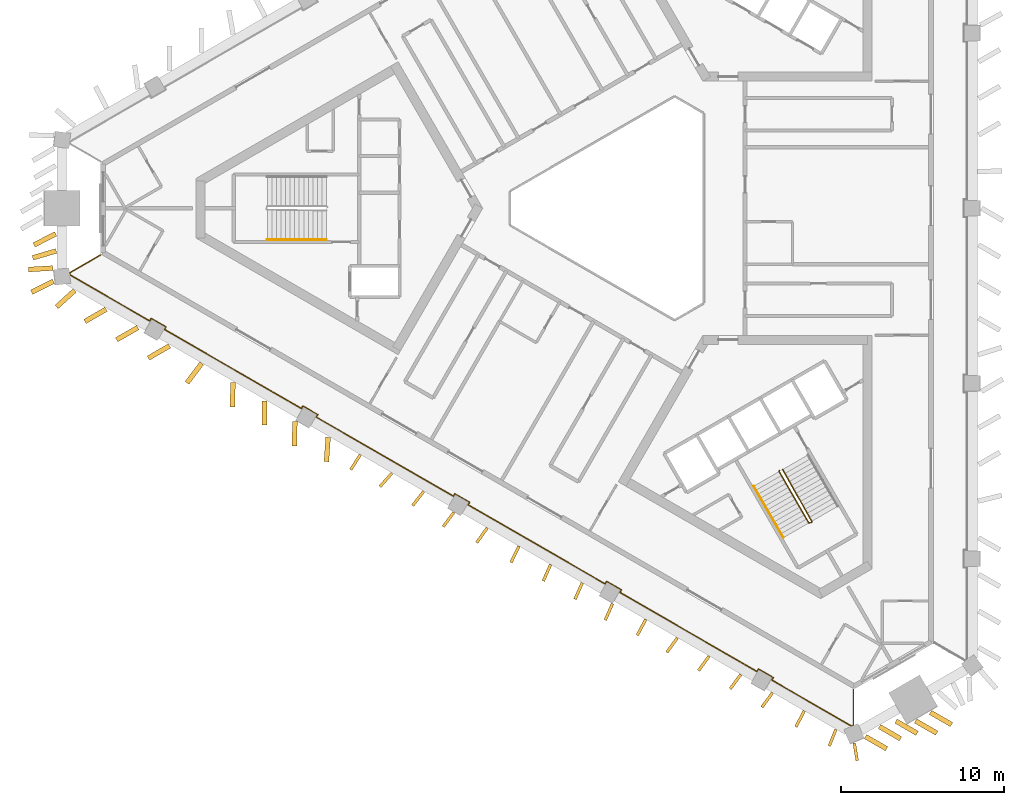
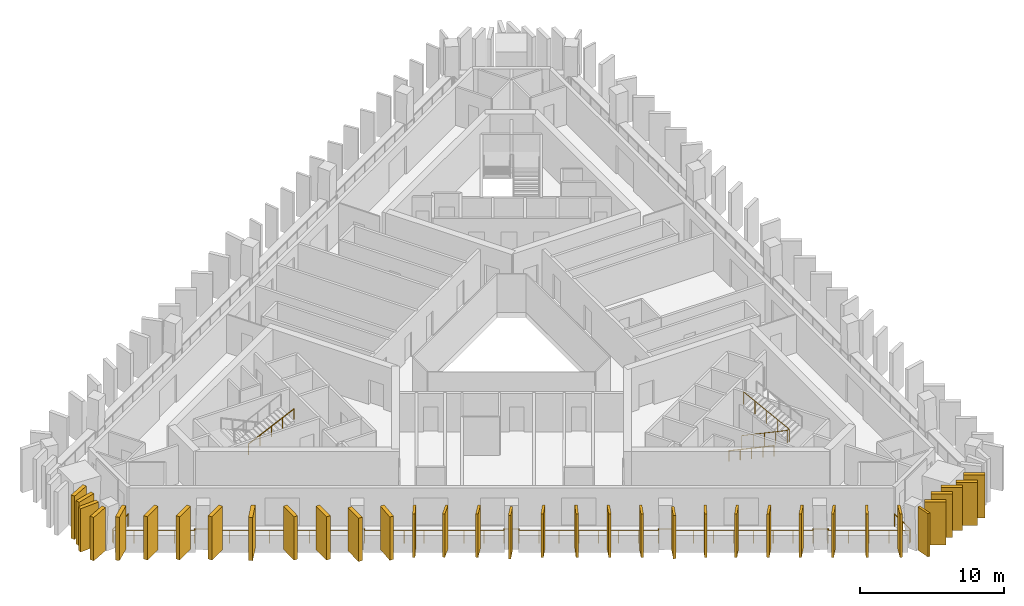
# One storey, part 8 of 10: 35 shading devices, 4 railings.
"""IFC4 building model written with IfcOpenShell, lengths in metres."""

from ifc_helpers import new_model, si_unit, direction, frame, frame_2d, origin, origin_2d, place, context, subcontext, project, spatial, rectangle, circle, extrude, material, layer, layer_set, type_object, element, save


model = new_model("IFC4")

# Units and contexts
model_context = context("Model", 3, precision=1e-05, world=origin(), true_north=direction((0.0, 1.0)))
body_context = subcontext(model_context, "Body", "Model", "MODEL_VIEW")
ifc_project = project(units=[si_unit("LENGTHUNIT", "METRE"), si_unit("AREAUNIT", "SQUARE_METRE"), si_unit("VOLUMEUNIT", "CUBIC_METRE"), si_unit("PLANEANGLEUNIT", "RADIAN"), si_unit("MASSUNIT", "GRAM", prefix="KILO")], contexts=[model_context])

# Site, building, storey
site_placement = place(None, origin())
site = spatial("IfcSite", under=ifc_project, at=site_placement, CompositionType="ELEMENT")
building_placement = place(site_placement, origin())
building = spatial("IfcBuilding", under=site, at=building_placement, Name="Jabali Bay Hotel Tower and Convention Centre", CompositionType="ELEMENT")
storey_placement = place(building_placement, frame((0.0, 0.0, 178.5)))
storey = spatial("IfcBuildingStorey", under=building, at=storey_placement, Name="L43", CompositionType="ELEMENT", Elevation=178.5)

# Railing
ifc_material_1 = material(Name="Glass", Category="glass")
railing_type_1 = type_object("IfcRailingType", Name="Loggia glass guard 1100", PredefinedType="BALUSTRADE", material=ifc_material_1)
railing_1_placement = place(storey_placement, frame((88.73779296875, 50.473388671875, 0.0)))
element("IfcRailing", 1, at=railing_1_placement, inside=storey, type_object=railing_type_1, Name="Loggia glass guard L43", PredefinedType="BALUSTRADE", context=body_context, shape_type="SweptSolid", body=[
    extrude(circle(Radius=0.02490234375, at=origin_2d()), frame((0.0, 0.0, 1.0751953125), z_axis=(0.0, -1.0, 0.0), x_axis=(0.991444861374, 0.0, 0.13052619222)), (0.0, 0.0, 1.0), 2.19287109375),
    extrude(circle(Radius=0.02490234375, at=origin_2d()), frame((0.0, -2.19287109375, 1.0751953125), z_axis=(-0.9195450827, -0.39298453008, 0.0), x_axis=(0.389622492947, -0.911678247044, 0.13052619222)), (0.0, 0.0, 1.0), 0.126220703125),
    extrude(circle(Radius=0.02490234375, at=origin_2d()), frame((-0.115966796875, -2.242431640625, 1.0751953125), z_axis=(-0.866035750673, 0.499982078236, 0.0), x_axis=(-0.495704662246, -0.85862669477, 0.13052619222)), (0.0, 0.0, 1.0), 5.643798828125),
    extrude(circle(Radius=0.02490234375, at=origin_2d()), frame((-5.003662109375, 0.579345703125, 1.0751953125), z_axis=(0.500486622847, 0.865744269604, 0.0), x_axis=(-0.858337707362, 0.496204890408, 0.13052619222)), (0.0, 0.0, 1.0), 0.175048828125),
    extrude(circle(Radius=0.02490234375, at=origin_2d()), frame((-4.916015625, 0.73095703125, 1.0751953125), z_axis=(-0.866088799389, 0.499890179513, 0.0), x_axis=(-0.495613549729, -0.858679289647, 0.13052619222)), (0.0, 0.0, 1.0), 1.050048828125),
    extrude(circle(Radius=0.02490234375, at=origin_2d()), frame((-5.825439453125, 1.255859375, 1.0751953125), z_axis=(-0.499440622861, -0.866348119543, 0.0), x_axis=(0.858936391282, -0.495167839097, 0.13052619222)), (0.0, 0.0, 1.0), 0.175048828125),
    extrude(circle(Radius=0.02490234375, at=origin_2d()), frame((-5.912841796875, 1.104248046875, 1.0751953125), z_axis=(-0.866022649559, 0.500004770428, 0.0), x_axis=(-0.495727160303, -0.858613705739, 0.13052619222)), (0.0, 0.0, 1.0), 9.70654296875),
    extrude(circle(Radius=0.02490234375, at=origin_2d()), frame((-14.31884765625, 5.95751953125, 1.0751953125), z_axis=(0.499440622861, 0.866348119543, 0.0), x_axis=(-0.858936391282, 0.495167839097, 0.13052619222)), (0.0, 0.0, 1.0), 0.175048828125),
    extrude(circle(Radius=0.02490234375, at=origin_2d()), frame((-14.2314453125, 6.109130859375, 1.0751953125), z_axis=(-0.866030680601, 0.499990860175, 0.0), x_axis=(-0.495713369054, -0.858621668074, 0.13052619222)), (0.0, 0.0, 1.0), 1.0498046875),
    extrude(circle(Radius=0.02490234375, at=origin_2d()), frame((-15.140625, 6.634033203125, 1.0751953125), z_axis=(-0.500486622847, -0.865744269604, 0.0), x_axis=(0.858337707362, -0.496204890408, 0.13052619222)), (0.0, 0.0, 1.0), 0.175048828125),
    extrude(circle(Radius=0.02490234375, at=origin_2d()), frame((-15.228271484375, 6.482421875, 1.0751953125), z_axis=(-0.866016361131, 0.500015662008, 0.0), x_axis=(-0.495737958704, -0.858607471109, 0.13052619222)), (0.0, 0.0, 1.0), 9.706298828125),
    extrude(circle(Radius=0.02490234375, at=origin_2d()), frame((-23.634033203125, 11.335693359375, 1.0751953125), z_axis=(0.499440622861, 0.866348119543, 0.0), x_axis=(-0.858936391282, 0.495167839097, 0.13052619222)), (0.0, 0.0, 1.0), 0.175048828125),
    extrude(circle(Radius=0.02490234375, at=origin_2d()), frame((-23.546630859375, 11.4873046875, 1.0751953125), z_axis=(-0.866030680601, 0.499990860175, 0.0), x_axis=(-0.495713369054, -0.858621668074, 0.13052619222)), (0.0, 0.0, 1.0), 1.0498046875),
    extrude(circle(Radius=0.02490234375, at=origin_2d()), frame((-24.455810546875, 12.01220703125, 1.0751953125), z_axis=(-0.500486622847, -0.865744269604, 0.0), x_axis=(0.858337707362, -0.496204890408, 0.13052619222)), (0.0, 0.0, 1.0), 0.175048828125),
    extrude(circle(Radius=0.02490234375, at=origin_2d()), frame((-24.54345703125, 11.860595703125, 1.0751953125), z_axis=(-0.866022649559, 0.500004770428, 0.0), x_axis=(-0.495727160303, -0.858613705739, 0.13052619222)), (0.0, 0.0, 1.0), 9.70654296875),
    extrude(circle(Radius=0.02490234375, at=origin_2d()), frame((-32.949462890625, 16.7138671875, 1.0751953125), z_axis=(0.500486622847, 0.865744269604, 0.0), x_axis=(-0.858337707362, 0.496204890408, 0.13052619222)), (0.0, 0.0, 1.0), 0.175048828125),
    extrude(circle(Radius=0.02490234375, at=origin_2d()), frame((-32.86181640625, 16.865478515625, 1.0751953125), z_axis=(-0.866088799389, 0.499890179513, 0.0), x_axis=(-0.495613549729, -0.858679289647, 0.13052619222)), (0.0, 0.0, 1.0), 1.050048828125),
    extrude(circle(Radius=0.02490234375, at=origin_2d()), frame((-33.771240234375, 17.390380859375, 1.0751953125), z_axis=(-0.499440622861, -0.866348119543, 0.0), x_axis=(0.858936391282, -0.495167839097, 0.13052619222)), (0.0, 0.0, 1.0), 0.175048828125),
    extrude(circle(Radius=0.02490234375, at=origin_2d()), frame((-33.858642578125, 17.23876953125, 1.0751953125), z_axis=(-0.866022649559, 0.500004770428, 0.0), x_axis=(-0.495727160303, -0.858613705739, 0.13052619222)), (0.0, 0.0, 1.0), 9.70654296875),
    extrude(circle(Radius=0.02490234375, at=origin_2d()), frame((-42.2646484375, 22.092041015625, 1.0751953125), z_axis=(0.499440622861, 0.866348119543, 0.0), x_axis=(-0.858936391282, 0.495167839097, 0.13052619222)), (0.0, 0.0, 1.0), 0.175048828125),
    extrude(circle(Radius=0.02490234375, at=origin_2d()), frame((-42.17724609375, 22.24365234375, 1.0751953125), z_axis=(-0.866030680601, 0.499990860175, 0.0), x_axis=(-0.495713369054, -0.858621668074, 0.13052619222)), (0.0, 0.0, 1.0), 1.0498046875),
    extrude(circle(Radius=0.02490234375, at=origin_2d()), frame((-43.08642578125, 22.7685546875, 1.0751953125), z_axis=(-0.500486622847, -0.865744269604, 0.0), x_axis=(0.858337707362, -0.496204890408, 0.13052619222)), (0.0, 0.0, 1.0), 0.175048828125),
    extrude(circle(Radius=0.02490234375, at=origin_2d()), frame((-43.174072265625, 22.616943359375, 1.0751953125), z_axis=(-0.866006203791, 0.50003325389, 0.0), x_axis=(-0.495755400085, -0.858597400666, 0.13052619222)), (0.0, 0.0, 1.0), 5.6435546875),
    extrude(circle(Radius=0.02490234375, at=origin_2d()), frame((-48.0615234375, 25.43896484375, 1.0751953125), z_axis=(-0.119984594018, 0.992775753732, 0.0), x_axis=(-0.984282419534, -0.118958109183, 0.13052619222)), (0.0, 0.0, 1.0), 0.126220703125),
    extrude(circle(Radius=0.02490234375, at=origin_2d()), frame((-48.07666015625, 25.564208984375, 1.0751953125), z_axis=(0.866035418383, 0.499982653806, 0.0), x_axis=(-0.495705232892, 0.858626365323, 0.13052619222)), (0.0, 0.0, 1.0), 2.19287109375),
    extrude(circle(Radius=0.02001953125, at=origin_2d()), origin(), (0.0, 0.0, 1.0), 1.050048828125),
    extrude(circle(Radius=0.02001953125, at=origin_2d()), frame((0.0, -1.096435546875, 0.0)), (0.0, 0.0, 1.0), 1.050048828125),
    extrude(circle(Radius=0.02001953125, at=origin_2d()), frame((0.0, -2.19287109375, 0.0)), (0.0, 0.0, 1.0), 1.050048828125),
    extrude(circle(Radius=0.02001953125, at=origin_2d()), frame((-0.115966796875, -2.242431640625, 0.0)), (0.0, 0.0, 1.0), 1.050048828125),
    extrude(circle(Radius=0.02001953125, at=origin_2d()), frame((-1.337890625, -1.537109375, 0.0)), (0.0, 0.0, 1.0), 1.050048828125),
    extrude(circle(Radius=0.02001953125, at=origin_2d()), frame((-2.559814453125, -0.83154296875, 0.0)), (0.0, 0.0, 1.0), 1.050048828125),
    extrude(circle(Radius=0.02001953125, at=origin_2d()), frame((-3.78173828125, -0.1259765625, 0.0)), (0.0, 0.0, 1.0), 1.050048828125),
    extrude(circle(Radius=0.02001953125, at=origin_2d()), frame((-5.003662109375, 0.579345703125, 0.0)), (0.0, 0.0, 1.0), 1.050048828125),
    extrude(circle(Radius=0.02001953125, at=origin_2d()), frame((-4.916015625, 0.73095703125, 0.0)), (0.0, 0.0, 1.0), 1.050048828125),
    extrude(circle(Radius=0.02001953125, at=origin_2d()), frame((-5.825439453125, 1.255859375, 0.0)), (0.0, 0.0, 1.0), 1.050048828125),
    extrude(circle(Radius=0.02001953125, at=origin_2d()), frame((-5.912841796875, 1.104248046875, 0.0)), (0.0, 0.0, 1.0), 1.050048828125),
    extrude(circle(Radius=0.02001953125, at=origin_2d()), frame((-7.11376953125, 1.797607421875, 0.0)), (0.0, 0.0, 1.0), 1.050048828125),
    extrude(circle(Radius=0.02001953125, at=origin_2d()), frame((-8.314453125, 2.490966796875, 0.0)), (0.0, 0.0, 1.0), 1.050048828125),
    extrude(circle(Radius=0.02001953125, at=origin_2d()), frame((-9.515380859375, 3.184326171875, 0.0)), (0.0, 0.0, 1.0), 1.050048828125),
    extrude(circle(Radius=0.02001953125, at=origin_2d()), frame((-10.71630859375, 3.87744140625, 0.0)), (0.0, 0.0, 1.0), 1.050048828125),
    extrude(circle(Radius=0.02001953125, at=origin_2d()), frame((-11.917236328125, 4.57080078125, 0.0)), (0.0, 0.0, 1.0), 1.050048828125),
    extrude(circle(Radius=0.02001953125, at=origin_2d()), frame((-13.117919921875, 5.26416015625, 0.0)), (0.0, 0.0, 1.0), 1.050048828125),
    extrude(circle(Radius=0.02001953125, at=origin_2d()), frame((-14.31884765625, 5.95751953125, 0.0)), (0.0, 0.0, 1.0), 1.050048828125),
    extrude(circle(Radius=0.02001953125, at=origin_2d()), frame((-14.2314453125, 6.109130859375, 0.0)), (0.0, 0.0, 1.0), 1.050048828125),
    extrude(circle(Radius=0.02001953125, at=origin_2d()), frame((-15.140625, 6.634033203125, 0.0)), (0.0, 0.0, 1.0), 1.050048828125),
    extrude(circle(Radius=0.02001953125, at=origin_2d()), frame((-15.228271484375, 6.482421875, 0.0)), (0.0, 0.0, 1.0), 1.050048828125),
    extrude(circle(Radius=0.02001953125, at=origin_2d()), frame((-16.42919921875, 7.17578125, 0.0)), (0.0, 0.0, 1.0), 1.050048828125),
    extrude(circle(Radius=0.02001953125, at=origin_2d()), frame((-17.6298828125, 7.869140625, 0.0)), (0.0, 0.0, 1.0), 1.050048828125),
    extrude(circle(Radius=0.02001953125, at=origin_2d()), frame((-18.830810546875, 8.5625, 0.0)), (0.0, 0.0, 1.0), 1.050048828125),
    extrude(circle(Radius=0.02001953125, at=origin_2d()), frame((-20.031494140625, 9.255615234375, 0.0)), (0.0, 0.0, 1.0), 1.050048828125),
    extrude(circle(Radius=0.02001953125, at=origin_2d()), frame((-21.232421875, 9.948974609375, 0.0)), (0.0, 0.0, 1.0), 1.050048828125),
    extrude(circle(Radius=0.02001953125, at=origin_2d()), frame((-22.43310546875, 10.642333984375, 0.0)), (0.0, 0.0, 1.0), 1.050048828125),
    extrude(circle(Radius=0.02001953125, at=origin_2d()), frame((-23.634033203125, 11.335693359375, 0.0)), (0.0, 0.0, 1.0), 1.050048828125),
    extrude(circle(Radius=0.02001953125, at=origin_2d()), frame((-23.546630859375, 11.4873046875, 0.0)), (0.0, 0.0, 1.0), 1.050048828125),
    extrude(circle(Radius=0.02001953125, at=origin_2d()), frame((-24.455810546875, 12.01220703125, 0.0)), (0.0, 0.0, 1.0), 1.050048828125),
    extrude(circle(Radius=0.02001953125, at=origin_2d()), frame((-24.54345703125, 11.860595703125, 0.0)), (0.0, 0.0, 1.0), 1.050048828125),
    extrude(circle(Radius=0.02001953125, at=origin_2d()), frame((-25.744384765625, 12.553955078125, 0.0)), (0.0, 0.0, 1.0), 1.050048828125),
    extrude(circle(Radius=0.02001953125, at=origin_2d()), frame((-26.945068359375, 13.247314453125, 0.0)), (0.0, 0.0, 1.0), 1.050048828125),
    extrude(circle(Radius=0.02001953125, at=origin_2d()), frame((-28.14599609375, 13.940673828125, 0.0)), (0.0, 0.0, 1.0), 1.050048828125),
    extrude(circle(Radius=0.02001953125, at=origin_2d()), frame((-29.346923828125, 14.6337890625, 0.0)), (0.0, 0.0, 1.0), 1.050048828125),
    extrude(circle(Radius=0.02001953125, at=origin_2d()), frame((-30.5478515625, 15.3271484375, 0.0)), (0.0, 0.0, 1.0), 1.050048828125),
    extrude(circle(Radius=0.02001953125, at=origin_2d()), frame((-31.74853515625, 16.0205078125, 0.0)), (0.0, 0.0, 1.0), 1.050048828125),
    extrude(circle(Radius=0.02001953125, at=origin_2d()), frame((-32.949462890625, 16.7138671875, 0.0)), (0.0, 0.0, 1.0), 1.050048828125),
    extrude(circle(Radius=0.02001953125, at=origin_2d()), frame((-32.86181640625, 16.865478515625, 0.0)), (0.0, 0.0, 1.0), 1.050048828125),
    extrude(circle(Radius=0.02001953125, at=origin_2d()), frame((-33.771240234375, 17.390380859375, 0.0)), (0.0, 0.0, 1.0), 1.050048828125),
    extrude(circle(Radius=0.02001953125, at=origin_2d()), frame((-33.858642578125, 17.23876953125, 0.0)), (0.0, 0.0, 1.0), 1.050048828125),
    extrude(circle(Radius=0.02001953125, at=origin_2d()), frame((-35.0595703125, 17.93212890625, 0.0)), (0.0, 0.0, 1.0), 1.050048828125),
    extrude(circle(Radius=0.02001953125, at=origin_2d()), frame((-36.26025390625, 18.62548828125, 0.0)), (0.0, 0.0, 1.0), 1.050048828125),
    extrude(circle(Radius=0.02001953125, at=origin_2d()), frame((-37.461181640625, 19.31884765625, 0.0)), (0.0, 0.0, 1.0), 1.050048828125),
    extrude(circle(Radius=0.02001953125, at=origin_2d()), frame((-38.662109375, 20.011962890625, 0.0)), (0.0, 0.0, 1.0), 1.050048828125),
    extrude(circle(Radius=0.02001953125, at=origin_2d()), frame((-39.863037109375, 20.705322265625, 0.0)), (0.0, 0.0, 1.0), 1.050048828125),
    extrude(circle(Radius=0.02001953125, at=origin_2d()), frame((-41.063720703125, 21.398681640625, 0.0)), (0.0, 0.0, 1.0), 1.050048828125),
    extrude(circle(Radius=0.02001953125, at=origin_2d()), frame((-42.2646484375, 22.092041015625, 0.0)), (0.0, 0.0, 1.0), 1.050048828125),
    extrude(circle(Radius=0.02001953125, at=origin_2d()), frame((-42.17724609375, 22.24365234375, 0.0)), (0.0, 0.0, 1.0), 1.050048828125),
    extrude(circle(Radius=0.02001953125, at=origin_2d()), frame((-43.08642578125, 22.7685546875, 0.0)), (0.0, 0.0, 1.0), 1.050048828125),
    extrude(circle(Radius=0.02001953125, at=origin_2d()), frame((-43.174072265625, 22.616943359375, 0.0)), (0.0, 0.0, 1.0), 1.050048828125),
    extrude(circle(Radius=0.02001953125, at=origin_2d()), frame((-44.39599609375, 23.322509765625, 0.0)), (0.0, 0.0, 1.0), 1.050048828125),
    extrude(circle(Radius=0.02001953125, at=origin_2d()), frame((-45.61767578125, 24.02783203125, 0.0)), (0.0, 0.0, 1.0), 1.050048828125),
    extrude(circle(Radius=0.02001953125, at=origin_2d()), frame((-46.839599609375, 24.7333984375, 0.0)), (0.0, 0.0, 1.0), 1.050048828125),
    extrude(circle(Radius=0.02001953125, at=origin_2d()), frame((-48.0615234375, 25.43896484375, 0.0)), (0.0, 0.0, 1.0), 1.050048828125),
    extrude(circle(Radius=0.02001953125, at=origin_2d()), frame((-48.07666015625, 25.564208984375, 0.0)), (0.0, 0.0, 1.0), 1.050048828125),
    extrude(circle(Radius=0.02001953125, at=origin_2d()), frame((-47.126953125, 26.1123046875, 0.0)), (0.0, 0.0, 1.0), 1.050048828125),
    extrude(circle(Radius=0.02001953125, at=origin_2d()), frame((-46.177490234375, 26.66064453125, 0.0)), (0.0, 0.0, 1.0), 1.050048828125),
])

# Shading devices
ifc_material_2 = material(Name="Precast concrete C60", Category="concrete")
ifc_layer_1 = layer(ifc_material_2, 0.179931640625)
ifc_layer_set_1 = layer_set([ifc_layer_1], Name="Precast concrete C60")
shading_device_type_1 = type_object("IfcShadingDeviceType", Name="Precast fin 3680 x 1100", PredefinedType="USERDEFINED", material=ifc_layer_set_1)
for number, where, z_axis, x_axis, name in (
    (2, (58.490478515625, 64.880615234375, 0.010009765625), (0.0, 0.0, 1.0), (-0.540174197722, -0.841553228332, 0.0), "Fin L43 075"),
    (3, (60.428466796875, 63.745361328125, 0.010009765625), (0.0, 0.0, 1.0), (-0.666262717409, -0.745717098765, 0.0), "Fin L43 076"),
    (4, (62.37646484375, 62.62744140625, 0.010009765625), (0.0, 0.0, 1.0), (-0.615859355602, -0.787856112572, 0.0), "Fin L43 077"),
):
    element("IfcShadingDevice", number, at=place(storey_placement, frame(where, z_axis=z_axis, x_axis=x_axis)), inside=storey, type_object=shading_device_type_1, Name=name, ObjectType="FIN", PredefinedType="USERDEFINED", context=body_context, shape_type="SweptSolid", body=[
        extrude(rectangle(XDim=1.10009765625, YDim=0.179931640625, at=frame_2d((0.550048828125, 0.0))), origin(), (0.0, 0.0, 1.0), 3.679931640625),
    ])
shading_device_1_placement = place(storey_placement, frame((64.2314453125, 61.34814453125, 0.010009765625), z_axis=(0.0, 0.0, 1.0), x_axis=(-0.597724759581, -0.801701385669, 0.0)))
element("IfcShadingDevice", 5, at=shading_device_1_placement, inside=storey, type_object=shading_device_type_1, Name="Fin L43 078", ObjectType="FIN", PredefinedType="USERDEFINED", context=body_context, shape_type="SweptSolid", body=[
    extrude(rectangle(XDim=1.099853515625, YDim=0.179931640625, at=frame_2d((0.5498046875, 0.0))), origin(), (0.0, 0.0, 1.0), 3.679931640625),
])
shading_device_2_placement = place(storey_placement, frame((66.268798828125, 60.385009765625, 0.010009765625), z_axis=(0.0, 0.0, 1.0), x_axis=(-0.578737484566, -0.815513901756, 0.0)))
element("IfcShadingDevice", 6, at=shading_device_2_placement, inside=storey, type_object=shading_device_type_1, Name="Fin L43 079", ObjectType="FIN", PredefinedType="USERDEFINED", context=body_context, shape_type="SweptSolid", body=[
    extrude(rectangle(XDim=1.10009765625, YDim=0.179931640625, at=frame_2d((0.550048828125, 0.0))), origin(), (0.0, 0.0, 1.0), 3.679931640625),
])
for number, where, z_axis, x_axis, name in (
    (7, (68.214599609375, 59.263427734375, 0.010009765625), (0.0, 0.0, 1.0), (-0.434829759233, -0.900512676471, 0.0), "Fin L43 080"),
    (8, (70.158447265625, 58.137939453125, 0.010009765625), (0.0, 0.0, 1.0), (-0.405726556835, -0.913994508232, 0.0), "Fin L43 081"),
):
    element("IfcShadingDevice", number, at=place(storey_placement, frame(where, z_axis=z_axis, x_axis=x_axis)), inside=storey, type_object=shading_device_type_1, Name=name, ObjectType="FIN", PredefinedType="USERDEFINED", context=body_context, shape_type="SweptSolid", body=[
        extrude(rectangle(XDim=1.099853515625, YDim=0.179931640625, at=frame_2d((0.5498046875, 0.0))), origin(), (0.0, 0.0, 1.0), 3.679931640625),
    ])
shading_device_3_placement = place(storey_placement, frame((72.103515625, 57.01513671875, 0.010009765625), z_axis=(0.0, 0.0, 1.0), x_axis=(-0.406097286264, -0.913829849638, 0.0)))
element("IfcShadingDevice", 9, at=shading_device_3_placement, inside=storey, type_object=shading_device_type_1, Name="Fin L43 082", ObjectType="FIN", PredefinedType="USERDEFINED", context=body_context, shape_type="SweptSolid", body=[
    extrude(rectangle(XDim=1.10009765625, YDim=0.179931640625, at=frame_2d((0.550048828125, 0.0))), origin(), (0.0, 0.0, 1.0), 3.679931640625),
])
for number, where, z_axis, x_axis, name in (
    (10, (73.9619140625, 55.7421875, 0.010009765625), (0.0, 0.0, 1.0), (-0.405994290953, -0.913875612823, 0.0), "Fin L43 083"),
    (11, (75.996826171875, 54.774658203125, 0.010009765625), (0.0, 0.0, 1.0), (-0.470323250154, -0.882494215485, 0.0), "Fin L43 084"),
    (12, (77.938720703125, 53.64599609375, 0.010009765625), (0.0, 0.0, 1.0), (-0.58839602701, -0.808572888117, 0.0), "Fin L43 085"),
):
    element("IfcShadingDevice", number, at=place(storey_placement, frame(where, z_axis=z_axis, x_axis=x_axis)), inside=storey, type_object=shading_device_type_1, Name=name, ObjectType="FIN", PredefinedType="USERDEFINED", context=body_context, shape_type="SweptSolid", body=[
        extrude(rectangle(XDim=1.099853515625, YDim=0.179931640625, at=frame_2d((0.5498046875, 0.0))), origin(), (0.0, 0.0, 1.0), 3.679931640625),
    ])
for number, where, z_axis, x_axis, name in (
    (13, (79.8837890625, 52.52294921875, 0.010009765625), (0.0, 0.0, 1.0), (-0.588791741155, -0.80828477998, 0.0), "Fin L43 086"),
    (14, (81.828857421875, 51.39990234375, 0.010009765625), (0.0, 0.0, 1.0), (-0.589688235553, -0.80763097071, 0.0), "Fin L43 087"),
):
    element("IfcShadingDevice", number, at=place(storey_placement, frame(where, z_axis=z_axis, x_axis=x_axis)), inside=storey, type_object=shading_device_type_1, Name=name, ObjectType="FIN", PredefinedType="USERDEFINED", context=body_context, shape_type="SweptSolid", body=[
        extrude(rectangle(XDim=1.10009765625, YDim=0.179931640625, at=frame_2d((0.550048828125, 0.0))), origin(), (0.0, 0.0, 1.0), 3.679931640625),
    ])
for number, where, z_axis, x_axis, name in (
    (15, (83.77392578125, 50.276611328125, 0.010009765625), (0.0, 0.0, 1.0), (-0.591979346459, -0.80595313348, 0.0), "Fin L43 088"),
    (16, (85.72216796875, 49.1591796875, 0.010009765625), (0.0, 0.0, 1.0), (-0.467255274721, -0.884122450934, 0.0), "Fin L43 089"),
):
    element("IfcShadingDevice", number, at=place(storey_placement, frame(where, z_axis=z_axis, x_axis=x_axis)), inside=storey, type_object=shading_device_type_1, Name=name, ObjectType="FIN", PredefinedType="USERDEFINED", context=body_context, shape_type="SweptSolid", body=[
        extrude(rectangle(XDim=1.099853515625, YDim=0.179931640625, at=frame_2d((0.5498046875, 0.0))), origin(), (0.0, 0.0, 1.0), 3.679931640625),
    ])
shading_device_4_placement = place(storey_placement, frame((87.66259765625, 48.028076171875, 0.010009765625), z_axis=(0.0, 0.0, 1.0), x_axis=(-0.371275886157, -0.928522598733, 0.0)))
element("IfcShadingDevice", 17, at=shading_device_4_placement, inside=storey, type_object=shading_device_type_1, Name="Fin L43 090", ObjectType="FIN", PredefinedType="USERDEFINED", context=body_context, shape_type="SweptSolid", body=[
    extrude(rectangle(XDim=1.10009765625, YDim=0.179931640625, at=frame_2d((0.550048828125, 0.0))), origin(), (0.0, 0.0, 1.0), 3.679931640625),
])
shading_device_5_placement = place(storey_placement, frame((88.787841796875, 47.192138671875, 0.010009765625), z_axis=(0.0, 0.0, 1.0), x_axis=(0.1695798575, -0.985516449345, 0.0)))
element("IfcShadingDevice", 18, at=shading_device_5_placement, inside=storey, type_object=shading_device_type_1, Name="Fin L43 104", ObjectType="FIN", PredefinedType="USERDEFINED", context=body_context, shape_type="SweptSolid", body=[
    extrude(rectangle(XDim=1.099853515625, YDim=0.179931640625, at=frame_2d((0.5498046875, 0.0))), origin(), (0.0, 0.0, 1.0), 3.679931640625),
])
ifc_layer_2 = layer(ifc_material_2, 0.300048828125)
ifc_layer_set_2 = layer_set([ifc_layer_2], Name="Precast concrete C60")
shading_device_type_2 = type_object("IfcShadingDeviceType", Name="Precast fin 3680 x 1500", PredefinedType="USERDEFINED", material=ifc_layer_set_2)
for number, where, z_axis, x_axis, name in (
    (19, (39.8056640625, 78.42724609375, 0.010009765625), (0.0, 0.0, 1.0), (-0.891610160077, -0.452803845443, 0.0), "Fin L43 063"),
    (20, (39.831787109375, 77.378662109375, 0.010009765625), (0.0, 0.0, 1.0), (-0.960441763975, -0.278480911398, 0.0), "Fin L43 064"),
    (21, (39.625732421875, 76.330322265625, 0.010009765625), (0.0, 0.0, 1.0), (-0.998185136393, -0.060219876156, 0.0), "Fin L43 065"),
    (22, (40.963623046875, 74.951416015625, 0.010009765625), (0.0, 0.0, 1.0), (-0.741697705834, -0.670734308919, 0.0), "Fin L43 066"),
    (23, (42.894287109375, 73.80322265625, 0.010009765625), (0.0, 0.0, 1.0), (-0.866031096941, -0.499990139034, 0.0), "Fin L43 067"),
    (24, (44.83935546875, 72.680419921875, 0.010009765625), (0.0, 0.0, 1.0), (-0.866031096941, -0.499990139034, 0.0), "Fin L43 068"),
    (25, (46.784423828125, 71.557373046875, 0.010009765625), (0.0, 0.0, 1.0), (-0.865919906206, -0.500182682664, 0.0), "Fin L43 069"),
):
    element("IfcShadingDevice", number, at=place(storey_placement, frame(where, z_axis=z_axis, x_axis=x_axis)), inside=storey, type_object=shading_device_type_2, Name=name, ObjectType="FIN", PredefinedType="USERDEFINED", context=body_context, shape_type="SweptSolid", body=[
        extrude(rectangle(XDim=1.5, YDim=0.300048828125, at=frame_2d((0.75, 0.0))), origin(), (0.0, 0.0, 1.0), 3.679931640625),
    ])
shading_device_6_placement = place(storey_placement, frame((48.758056640625, 70.483642578125, 0.010009765625), z_axis=(0.0, 0.0, 1.0), x_axis=(-0.600156253811, -0.799882785795, 0.0)))
element("IfcShadingDevice", 26, at=shading_device_6_placement, inside=storey, type_object=shading_device_type_2, Name="Fin L43 070", ObjectType="FIN", PredefinedType="USERDEFINED", context=body_context, shape_type="SweptSolid", body=[
    extrude(rectangle(XDim=1.499755859375, YDim=0.300048828125, at=frame_2d((0.75, 0.0))), origin(), (0.0, 0.0, 1.0), 3.679931640625),
])
shading_device_7_placement = place(storey_placement, frame((50.67626953125, 69.31396484375, 0.010009765625), z_axis=(0.0, 0.0, 1.0), x_axis=(-0.023276010747, -0.999729076962, 0.0)))
element("IfcShadingDevice", 27, at=shading_device_7_placement, inside=storey, type_object=shading_device_type_2, Name="Fin L43 071", ObjectType="FIN", PredefinedType="USERDEFINED", context=body_context, shape_type="SweptSolid", body=[
    extrude(rectangle(XDim=1.5, YDim=0.300048828125, at=frame_2d((0.75, 0.0))), origin(), (0.0, 0.0, 1.0), 3.679931640625),
])
shading_device_8_placement = place(storey_placement, frame((52.6201171875, 68.188720703125, 0.010009765625), z_axis=(0.0, 0.0, 1.0), x_axis=(-0.004720767842, -0.999988857113, 0.0)))
element("IfcShadingDevice", 28, at=shading_device_8_placement, inside=storey, type_object=shading_device_type_2, Name="Fin L43 072", ObjectType="FIN", PredefinedType="USERDEFINED", context=body_context, shape_type="SweptSolid", body=[
    extrude(rectangle(XDim=1.499755859375, YDim=0.300048828125, at=frame_2d((0.75, 0.0))), origin(), (0.0, 0.0, 1.0), 3.679931640625),
])
for number, where, z_axis, x_axis, name in (
    (29, (54.474853515625, 66.909423828125, 0.010009765625), (0.0, 0.0, 1.0), (-0.019205312745, -0.999815560972, 0.0), "Fin L43 073"),
    (30, (56.5146484375, 65.950439453125, 0.010009765625), (0.0, 0.0, 1.0), (-0.070795970877, -0.997490817255, 0.0), "Fin L43 074"),
    (31, (89.47412109375, 47.590576171875, 0.010009765625), (0.0, 0.0, 1.0), (0.866031096941, -0.499990139034, 0.0), "Fin L43 091"),
    (32, (90.33056640625, 48.2041015625, 0.010009765625), (0.0, 0.0, 1.0), (0.866031096941, -0.499990139034, 0.0), "Fin L43 092"),
):
    element("IfcShadingDevice", number, at=place(storey_placement, frame(where, z_axis=z_axis, x_axis=x_axis)), inside=storey, type_object=shading_device_type_2, Name=name, ObjectType="FIN", PredefinedType="USERDEFINED", context=body_context, shape_type="SweptSolid", body=[
        extrude(rectangle(XDim=1.5, YDim=0.300048828125, at=frame_2d((0.75, 0.0))), origin(), (0.0, 0.0, 1.0), 3.679931640625),
    ])
shading_device_9_placement = place(storey_placement, frame((91.34814453125, 48.538818359375, 0.010009765625), z_axis=(0.0, 0.0, 1.0), x_axis=(0.86599040064, -0.500060622324, 0.0)))
element("IfcShadingDevice", 33, at=shading_device_9_placement, inside=storey, type_object=shading_device_type_2, Name="Fin L43 093", ObjectType="FIN", PredefinedType="USERDEFINED", context=body_context, shape_type="SweptSolid", body=[
    extrude(rectangle(XDim=1.499755859375, YDim=0.300048828125, at=frame_2d((0.75, 0.0))), origin(), (0.0, 0.0, 1.0), 3.679931640625),
])
for number, where, z_axis, x_axis, name in (
    (34, (92.552978515625, 48.548828125, 0.010009765625), (0.0, 0.0, 1.0), (0.866031096941, -0.499990139034, 0.0), "Fin L43 094"),
    (35, (93.4609375, 49.072998046875, 0.010009765625), (0.0, 0.0, 1.0), (0.866031096941, -0.499990139034, 0.0), "Fin L43 095"),
    (36, (39.665283203125, 75.520263671875, 0.010009765625), (0.0, 0.0, 1.0), (-0.893579211785, -0.448905549381, 0.0), "Fin L43 103"),
):
    element("IfcShadingDevice", number, at=place(storey_placement, frame(where, z_axis=z_axis, x_axis=x_axis)), inside=storey, type_object=shading_device_type_2, Name=name, ObjectType="FIN", PredefinedType="USERDEFINED", context=body_context, shape_type="SweptSolid", body=[
        extrude(rectangle(XDim=1.5, YDim=0.300048828125, at=frame_2d((0.75, 0.0))), origin(), (0.0, 0.0, 1.0), 3.679931640625),
    ])

# Railings
ifc_material_3 = material(Name="Steel Q355B", Category="steel")
railing_type_2 = type_object("IfcRailingType", Name="Stair guard 1100", PredefinedType="GUARDRAIL", material=ifc_material_3)
railing_2_placement = place(storey_placement, frame((84.199951171875, 63.9150390625, 0.0)))
element("IfcRailing", 37, at=railing_2_placement, inside=storey, type_object=railing_type_2, Name="L43 ST3 stair guard 1", PredefinedType="GUARDRAIL", context=body_context, shape_type="SweptSolid", body=[
    extrude(circle(Radius=0.02392578125, at=origin_2d()), frame((0.0, 0.0, 1.076171875), z_axis=(-0.122196845461, -0.456201556387, 0.881446578591), x_axis=(0.965948051503, -0.258736085224, 0.0)), (0.0, 0.0, 1.0), 0.14990234375),
    extrude(circle(Radius=0.02392578125, at=origin_2d()), frame((-0.018310546875, -0.068359375, 1.2080078125), z_axis=(0.45217862506, -0.783169739339, 0.426825081763), x_axis=(0.866018046521, 0.500012742938, 0.0)), (0.0, 0.0, 1.0), 4.025146484375),
    extrude(circle(Radius=0.02392578125, at=origin_2d()), frame((1.8017578125, -3.220703125, 2.92626953125), z_axis=(0.96121063429, 0.275815366736, 0.0), x_axis=(-0.275815366736, 0.96121063429, 0.0)), (0.0, 0.0, 1.0), 0.206298828125),
    extrude(circle(Radius=0.02392578125, at=origin_2d()), frame((2.0, -3.163818359375, 2.92626953125), z_axis=(-0.436481798955, 0.780166857725, 0.448133142368), x_axis=(-0.872702246529, -0.488252792008, 0.0)), (0.0, 0.0, 1.0), 4.1279296875),
    extrude(circle(Radius=0.02099609375, at=origin_2d()), origin(), (0.0, 0.0, 1.0), 1.052001953125),
    extrude(circle(Radius=0.02099609375, at=origin_2d()), frame((-0.018310546875, -0.068359375, 0.132080078125)), (0.0, 0.0, 1.0), 1.052001953125),
    extrude(circle(Radius=0.02099609375, at=origin_2d()), frame((0.436767578125, -0.8564453125, 0.5615234375)), (0.0, 0.0, 1.0), 1.052001953125),
    extrude(circle(Radius=0.02099609375, at=origin_2d()), frame((0.8916015625, -1.64453125, 0.9912109375)), (0.0, 0.0, 1.0), 1.052001953125),
    extrude(circle(Radius=0.02099609375, at=origin_2d()), frame((1.3466796875, -2.4326171875, 1.420654296875)), (0.0, 0.0, 1.0), 1.052001953125),
    extrude(circle(Radius=0.02099609375, at=origin_2d()), frame((1.8017578125, -3.220703125, 1.85009765625)), (0.0, 0.0, 1.0), 1.052001953125),
    extrude(circle(Radius=0.02099609375, at=origin_2d()), frame((2.0, -3.163818359375, 1.85009765625)), (0.0, 0.0, 1.0), 1.052001953125),
    extrude(circle(Radius=0.02099609375, at=origin_2d()), frame((1.549560546875, -2.358642578125, 2.3125)), (0.0, 0.0, 1.0), 1.052001953125),
    extrude(circle(Radius=0.02099609375, at=origin_2d()), frame((1.09912109375, -1.5537109375, 2.77490234375)), (0.0, 0.0, 1.0), 1.052001953125),
    extrude(circle(Radius=0.02099609375, at=origin_2d()), frame((0.648681640625, -0.74853515625, 3.237548828125)), (0.0, 0.0, 1.0), 1.052001953125),
    extrude(circle(Radius=0.02099609375, at=origin_2d()), frame((0.1982421875, 0.056640625, 3.699951171875)), (0.0, 0.0, 1.0), 1.052001953125),
])
railing_type_3 = type_object("IfcRailingType", Name="Stair handrail 900", PredefinedType="HANDRAIL", material=ifc_material_3)
railing_3_placement = place(storey_placement, frame((52.780029296875, 78.074951171875, 1.982177734375)))
element("IfcRailing", 38, at=railing_3_placement, inside=storey, type_object=railing_type_3, Name="L43 ST1 stair handrail 2", PredefinedType="HANDRAIL", context=body_context, shape_type="SweptSolid", body=[
    extrude(circle(Radius=0.02392578125, at=origin_2d()), frame((0.0, 0.0, 0.8759765625), z_axis=(0.904350763662, 0.0, 0.426789990819), x_axis=(0.0, 1.0, 0.0)), (0.0, 0.0, 1.0), 4.02490234375),
    extrude(circle(Radius=0.02099609375, at=origin_2d()), origin(), (0.0, 0.0, 1.0), 0.851806640625),
    extrude(circle(Radius=0.02099609375, at=origin_2d()), frame((0.909912109375, 0.0, 0.429443359375)), (0.0, 0.0, 1.0), 0.851806640625),
    extrude(circle(Radius=0.02099609375, at=origin_2d()), frame((1.81982421875, 0.0, 0.85888671875)), (0.0, 0.0, 1.0), 0.851806640625),
    extrude(circle(Radius=0.02099609375, at=origin_2d()), frame((2.72998046875, 0.0, 1.288330078125)), (0.0, 0.0, 1.0), 0.851806640625),
    extrude(circle(Radius=0.02099609375, at=origin_2d()), frame((3.639892578125, 0.0, 1.7177734375)), (0.0, 0.0, 1.0), 0.851806640625),
])
railing_4_placement = place(storey_placement, frame((82.622802734375, 62.94677734375, 0.132080078125)))
element("IfcRailing", 39, at=railing_4_placement, inside=storey, type_object=railing_type_3, Name="L43 ST3 stair handrail 1", PredefinedType="HANDRAIL", context=body_context, shape_type="SweptSolid", body=[
    extrude(circle(Radius=0.02392578125, at=origin_2d()), frame((0.0, 0.0, 0.8759765625), z_axis=(0.45217862506, -0.783169739339, 0.426825081763), x_axis=(0.866018046521, 0.500012742938, 0.0)), (0.0, 0.0, 1.0), 4.025146484375),
    extrude(circle(Radius=0.02099609375, at=origin_2d()), origin(), (0.0, 0.0, 1.0), 0.851806640625),
    extrude(circle(Radius=0.02099609375, at=origin_2d()), frame((0.455078125, -0.7880859375, 0.429443359375)), (0.0, 0.0, 1.0), 0.851806640625),
    extrude(circle(Radius=0.02099609375, at=origin_2d()), frame((0.91015625, -1.576171875, 0.85888671875)), (0.0, 0.0, 1.0), 0.851806640625),
    extrude(circle(Radius=0.02099609375, at=origin_2d()), frame((1.364990234375, -2.3642578125, 1.28857421875)), (0.0, 0.0, 1.0), 0.851806640625),
    extrude(circle(Radius=0.02099609375, at=origin_2d()), frame((1.820068359375, -3.15234375, 1.718017578125)), (0.0, 0.0, 1.0), 0.851806640625),
])

save(model, "model.ifc")
